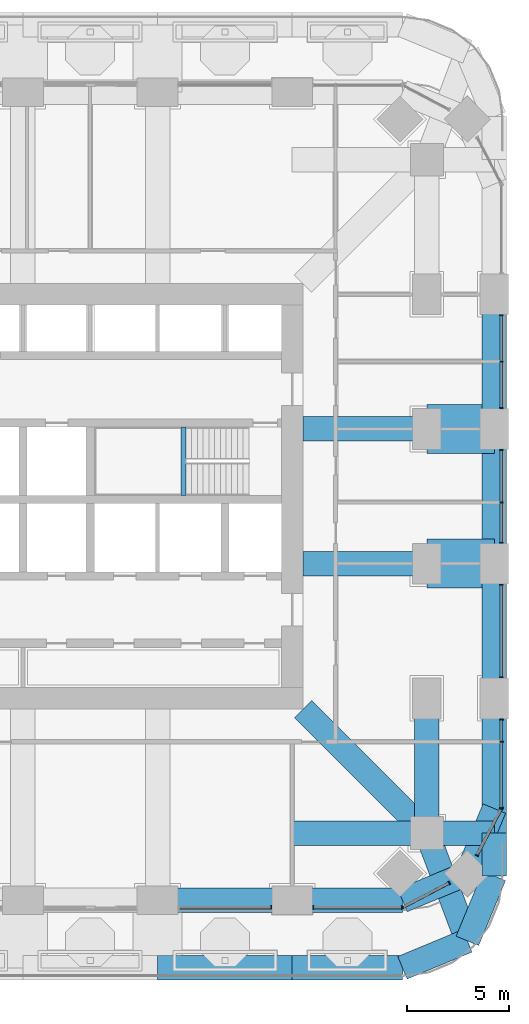
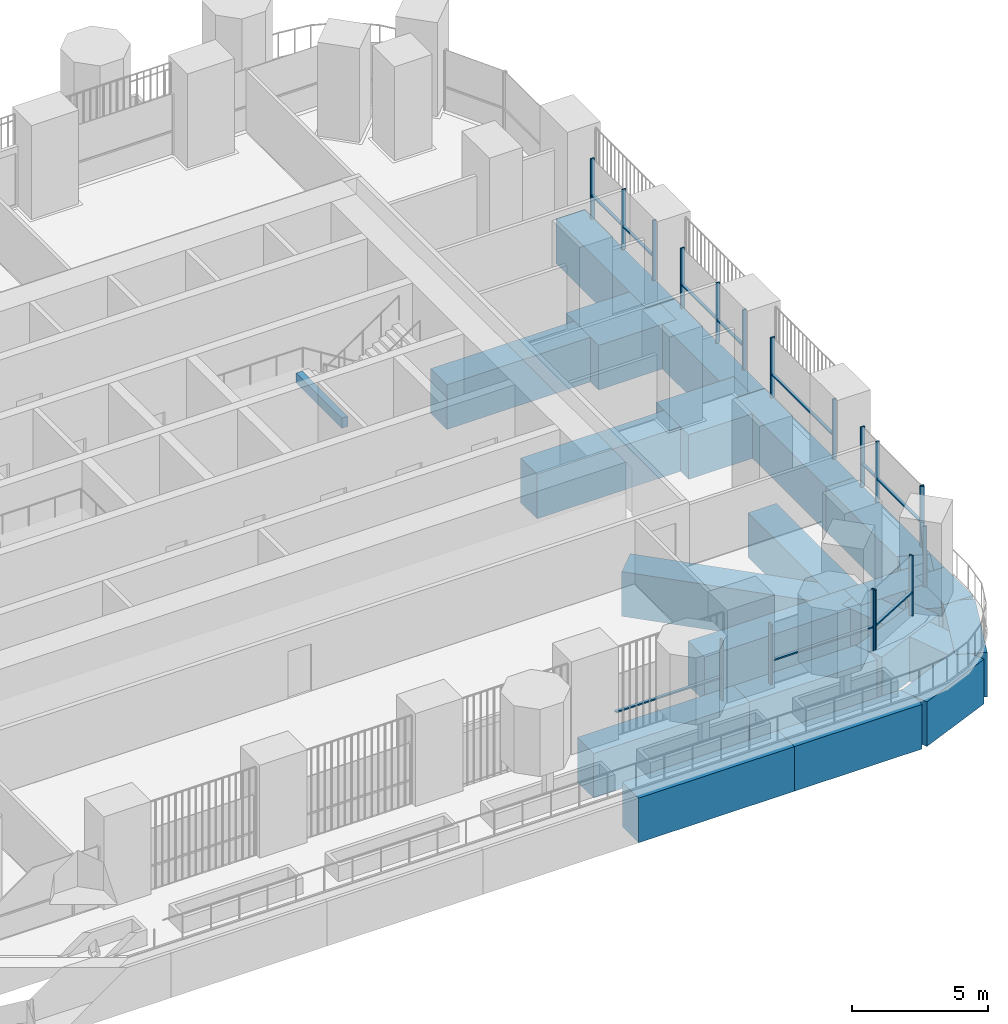
# One storey, part 5 of 22: 29 members, 23 beams, 8 elements without a shape of their own.
"""IFC4 building model written with IfcOpenShell, lengths in metres."""

from ifc_helpers import new_model, si_unit, direction, frame, origin, origin_2d, place, context, subcontext, project, spatial, rectangle, extrude, material, material_profile, profile_set, type_object, element, aggregate, save


model = new_model("IFC4")

# Units and contexts
model_context = context("Model", 3, precision=1e-05, world=origin(), true_north=direction((0.0, 1.0)))
body_context = subcontext(model_context, "Body", "Model", "MODEL_VIEW")
ifc_project = project(units=[si_unit("LENGTHUNIT", "METRE"), si_unit("AREAUNIT", "SQUARE_METRE"), si_unit("VOLUMEUNIT", "CUBIC_METRE"), si_unit("PLANEANGLEUNIT", "RADIAN"), si_unit("MASSUNIT", "GRAM", prefix="KILO")], contexts=[model_context])

# Site, building, storey
site_placement = place(None, origin())
site = spatial("IfcSite", under=ifc_project, at=site_placement, CompositionType="ELEMENT")
building_placement = place(site_placement, origin())
building = spatial("IfcBuilding", under=site, at=building_placement, Name="Cobogo Forest Laboratory Tower", CompositionType="ELEMENT")
storey_placement = place(building_placement, frame((0.0, 0.0, 155.699951171875)))
storey = spatial("IfcBuildingStorey", under=building, at=storey_placement, Name="L35", CompositionType="ELEMENT", Elevation=155.699951171875)

# Beam
ifc_material_1 = material(Name="Concrete HA-40 (C40/50)", Category="concrete")
ifc_material_profile_1 = material_profile(ifc_material_1, rectangle(XDim=0.25, YDim=0.449951171875, at=origin_2d()), Name="RC 250x450")
ifc_profile_set_1 = profile_set([ifc_material_profile_1], Name="Concrete HA-40 (C40/50)")
beam_type_1 = type_object("IfcBeamType", Name="LB1 landing beam 250x450", PredefinedType="BEAM", material=ifc_profile_set_1)
beam_1_placement = place(storey_placement, frame((34.27001953125, 23.14990234375, 1.675048828125), z_axis=(0.0, 1.0, 0.0), x_axis=(-1.0, 0.0, 0.0)))
element("IfcBeam", 1, at=beam_1_placement, inside=storey, type_object=beam_type_1, Name="Landing beam ST2 L35", PredefinedType="BEAM", context=body_context, shape_type="SweptSolid", body=[
    extrude(rectangle(XDim=0.25, YDim=0.449951171875, at=origin_2d()), origin(), (0.0, 0.0, 1.0), 3.35009765625),
])

# Curtain wall, member
ifc_material_2 = material(Name="Aluminium curtain wall", Category="aluminium")
curtain_wall_type = type_object("IfcCurtainWallType", Name="CW-2 unitised curtain wall, solar control glazing, laboratory floors zones C and D", PredefinedType="USERDEFINED", material=ifc_material_2)
curtain_wall_1_placement = place(storey_placement, origin())
curtain_wall_1 = element("IfcCurtainWall", 2, at=curtain_wall_1_placement, inside=storey, type_object=curtain_wall_type, Name="Curtain wall 05 L35", ObjectType="UNITISED CURTAIN WALL", PredefinedType="USERDEFINED")
ifc_material_3 = material(Name="Aluminium mullion", Category="aluminium")
ifc_material_profile_2 = material_profile(ifc_material_3, rectangle(XDim=0.06005859375, YDim=0.159912109375, at=origin_2d()), Name="AL 60x160")
ifc_profile_set_2 = profile_set([ifc_material_profile_2], Name="Aluminium mullion")
member_type_1 = type_object("IfcMemberType", Name="MU-1 aluminium mullion 60x160", PredefinedType="MULLION", material=ifc_profile_set_2)
member_1_placement = place(storey_placement, frame((38.570068359375, 2.949951171875, 0.0), z_axis=(0.0, 0.0, 1.0), x_axis=(1.0, 0.0, 0.0)))
member_1 = element("IfcMember", 3, at=member_1_placement, type_object=member_type_1, Name="CW-2 mullion 2", PredefinedType="MULLION", context=body_context, shape_type="SweptSolid", body=[
    extrude(rectangle(XDim=0.06005859375, YDim=0.159912109375, at=origin_2d()), origin(), (0.0, 0.0, 1.0), 2.699951171875),
])

# Curtain wall, members
curtain_wall_2_placement = place(storey_placement, origin())
curtain_wall_2 = element("IfcCurtainWall", 4, at=curtain_wall_2_placement, inside=storey, type_object=curtain_wall_type, Name="Curtain wall 06 L35", ObjectType="UNITISED CURTAIN WALL", PredefinedType="USERDEFINED")
member_2_placement = place(storey_placement, frame((40.6298828125, 2.949951171875, 0.0), z_axis=(0.0, 0.0, 1.0), x_axis=(1.0, 0.0, 0.0)))
member_2 = element("IfcMember", 5, at=member_2_placement, type_object=member_type_1, Name="CW-2 mullion 1", PredefinedType="MULLION", context=body_context, shape_type="SweptSolid", body=[
    extrude(rectangle(XDim=0.06005859375, YDim=0.159912109375, at=origin_2d()), origin(), (0.0, 0.0, 1.0), 2.699951171875),
])
member_3_placement = place(storey_placement, frame((44.969970703125, 2.949951171875, 0.0), z_axis=(0.0, 0.0, 1.0), x_axis=(1.0, 0.0, 0.0)))
member_3 = element("IfcMember", 6, at=member_3_placement, type_object=member_type_1, Name="CW-2 mullion 2", PredefinedType="MULLION", context=body_context, shape_type="SweptSolid", body=[
    extrude(rectangle(XDim=0.06005859375, YDim=0.159912109375, at=origin_2d()), origin(), (0.0, 0.0, 1.0), 2.699951171875),
])

curtain_wall_3_placement = place(storey_placement, origin())
curtain_wall_3 = element("IfcCurtainWall", 7, at=curtain_wall_3_placement, inside=storey, type_object=curtain_wall_type, Name="Curtain wall 07 L35", ObjectType="UNITISED CURTAIN WALL", PredefinedType="USERDEFINED")
member_4_placement = place(storey_placement, frame((45.026611328125, 2.9638671875, 0.0), z_axis=(0.0, 0.0, 1.0), x_axis=(0.885686527085, 0.464283723321, 0.0)))
member_4 = element("IfcMember", 8, at=member_4_placement, type_object=member_type_1, Name="CW-2 mullion 1", PredefinedType="MULLION", context=body_context, shape_type="SweptSolid", body=[
    extrude(rectangle(XDim=0.06005859375, YDim=0.159912109375, at=origin_2d()), origin(), (0.0, 0.0, 1.0), 2.699951171875),
])
member_5_placement = place(storey_placement, frame((47.29248046875, 4.15185546875, 0.0), z_axis=(0.0, 0.0, 1.0), x_axis=(0.885686527085, 0.464283723321, 0.0)))
member_5 = element("IfcMember", 9, at=member_5_placement, type_object=member_type_1, Name="CW-2 mullion 2", PredefinedType="MULLION", context=body_context, shape_type="SweptSolid", body=[
    extrude(rectangle(XDim=0.06005859375, YDim=0.159912109375, at=origin_2d()), origin(), (0.0, 0.0, 1.0), 2.699951171875),
])

curtain_wall_4_placement = place(storey_placement, origin())
curtain_wall_4 = element("IfcCurtainWall", 10, at=curtain_wall_4_placement, inside=storey, type_object=curtain_wall_type, Name="Curtain wall 08 L35", ObjectType="UNITISED CURTAIN WALL", PredefinedType="USERDEFINED")
member_6_placement = place(storey_placement, frame((48.648193359375, 5.507568359375, 0.0), z_axis=(0.0, 0.0, 1.0), x_axis=(0.464283723321, 0.885686527085, 0.0)))
member_6 = element("IfcMember", 11, at=member_6_placement, type_object=member_type_1, Name="CW-2 mullion 1", PredefinedType="MULLION", context=body_context, shape_type="SweptSolid", body=[
    extrude(rectangle(XDim=0.06005859375, YDim=0.159912109375, at=origin_2d()), origin(), (0.0, 0.0, 1.0), 2.699951171875),
])
member_7_placement = place(storey_placement, frame((49.836181640625, 7.7734375, 0.0), z_axis=(0.0, 0.0, 1.0), x_axis=(0.464283723321, 0.885686527085, 0.0)))
member_7 = element("IfcMember", 12, at=member_7_placement, type_object=member_type_1, Name="CW-2 mullion 2", PredefinedType="MULLION", context=body_context, shape_type="SweptSolid", body=[
    extrude(rectangle(XDim=0.06005859375, YDim=0.159912109375, at=origin_2d()), origin(), (0.0, 0.0, 1.0), 2.699951171875),
])

curtain_wall_5_placement = place(storey_placement, origin())
curtain_wall_5 = element("IfcCurtainWall", 13, at=curtain_wall_5_placement, inside=storey, type_object=curtain_wall_type, Name="Curtain wall 09 L35", ObjectType="UNITISED CURTAIN WALL", PredefinedType="USERDEFINED")
member_8_placement = place(storey_placement, frame((49.85009765625, 7.830078125, 0.0), z_axis=(0.0, 0.0, 1.0), x_axis=(0.0, 1.0, 0.0)))
member_8 = element("IfcMember", 14, at=member_8_placement, type_object=member_type_1, Name="CW-2 mullion 1", PredefinedType="MULLION", context=body_context, shape_type="SweptSolid", body=[
    extrude(rectangle(XDim=0.06005859375, YDim=0.159912109375, at=origin_2d()), origin(), (0.0, 0.0, 1.0), 2.699951171875),
])
member_9_placement = place(storey_placement, frame((49.85009765625, 11.074951171875, 0.0), z_axis=(0.0, 0.0, 1.0), x_axis=(0.0, 1.0, 0.0)))
member_9 = element("IfcMember", 15, at=member_9_placement, type_object=member_type_1, Name="CW-2 mullion 2", PredefinedType="MULLION", context=body_context, shape_type="SweptSolid", body=[
    extrude(rectangle(XDim=0.06005859375, YDim=0.159912109375, at=origin_2d()), origin(), (0.0, 0.0, 1.0), 2.699951171875),
])
member_10_placement = place(storey_placement, frame((49.85009765625, 12.169921875, 0.0), z_axis=(0.0, 0.0, 1.0), x_axis=(0.0, 1.0, 0.0)))
member_10 = element("IfcMember", 16, at=member_10_placement, type_object=member_type_1, Name="CW-2 mullion 3", PredefinedType="MULLION", context=body_context, shape_type="SweptSolid", body=[
    extrude(rectangle(XDim=0.06005859375, YDim=0.159912109375, at=origin_2d()), origin(), (0.0, 0.0, 1.0), 2.699951171875),
])

curtain_wall_6_placement = place(storey_placement, origin())
curtain_wall_6 = element("IfcCurtainWall", 17, at=curtain_wall_6_placement, inside=storey, type_object=curtain_wall_type, Name="Curtain wall 10 L35", ObjectType="UNITISED CURTAIN WALL", PredefinedType="USERDEFINED")
member_11_placement = place(storey_placement, frame((49.85009765625, 14.22998046875, 0.0), z_axis=(0.0, 0.0, 1.0), x_axis=(0.0, 1.0, 0.0)))
member_11 = element("IfcMember", 18, at=member_11_placement, type_object=member_type_1, Name="CW-2 mullion 1", PredefinedType="MULLION", context=body_context, shape_type="SweptSolid", body=[
    extrude(rectangle(XDim=0.06005859375, YDim=0.159912109375, at=origin_2d()), origin(), (0.0, 0.0, 1.0), 2.699951171875),
])
member_12_placement = place(storey_placement, frame((49.85009765625, 18.77001953125, 0.0), z_axis=(0.0, 0.0, 1.0), x_axis=(0.0, 1.0, 0.0)))
member_12 = element("IfcMember", 19, at=member_12_placement, type_object=member_type_1, Name="CW-2 mullion 2", PredefinedType="MULLION", context=body_context, shape_type="SweptSolid", body=[
    extrude(rectangle(XDim=0.06005859375, YDim=0.159912109375, at=origin_2d()), origin(), (0.0, 0.0, 1.0), 2.699951171875),
])

curtain_wall_7_placement = place(storey_placement, origin())
curtain_wall_7 = element("IfcCurtainWall", 20, at=curtain_wall_7_placement, inside=storey, type_object=curtain_wall_type, Name="Curtain wall 11 L35", ObjectType="UNITISED CURTAIN WALL", PredefinedType="USERDEFINED")
member_13_placement = place(storey_placement, frame((49.85009765625, 20.830078125, 0.0), z_axis=(0.0, 0.0, 1.0), x_axis=(0.0, 1.0, 0.0)))
member_13 = element("IfcMember", 21, at=member_13_placement, type_object=member_type_1, Name="CW-2 mullion 1", PredefinedType="MULLION", context=body_context, shape_type="SweptSolid", body=[
    extrude(rectangle(XDim=0.06005859375, YDim=0.159912109375, at=origin_2d()), origin(), (0.0, 0.0, 1.0), 2.699951171875),
])
member_14_placement = place(storey_placement, frame((49.85009765625, 22.800048828125, 0.0), z_axis=(0.0, 0.0, 1.0), x_axis=(0.0, 1.0, 0.0)))
member_14 = element("IfcMember", 22, at=member_14_placement, type_object=member_type_1, Name="CW-2 mullion 2", PredefinedType="MULLION", context=body_context, shape_type="SweptSolid", body=[
    extrude(rectangle(XDim=0.06005859375, YDim=0.159912109375, at=origin_2d()), origin(), (0.0, 0.0, 1.0), 2.699951171875),
])
member_15_placement = place(storey_placement, frame((49.85009765625, 25.3701171875, 0.0), z_axis=(0.0, 0.0, 1.0), x_axis=(0.0, 1.0, 0.0)))
member_15 = element("IfcMember", 23, at=member_15_placement, type_object=member_type_1, Name="CW-2 mullion 3", PredefinedType="MULLION", context=body_context, shape_type="SweptSolid", body=[
    extrude(rectangle(XDim=0.06005859375, YDim=0.159912109375, at=origin_2d()), origin(), (0.0, 0.0, 1.0), 2.699951171875),
])

curtain_wall_8_placement = place(storey_placement, origin())
curtain_wall_8 = element("IfcCurtainWall", 24, at=curtain_wall_8_placement, inside=storey, type_object=curtain_wall_type, Name="Curtain wall 12 L35", ObjectType="UNITISED CURTAIN WALL", PredefinedType="USERDEFINED")
member_16_placement = place(storey_placement, frame((49.85009765625, 27.429931640625, 0.0), z_axis=(0.0, 0.0, 1.0), x_axis=(0.0, 1.0, 0.0)))
member_16 = element("IfcMember", 25, at=member_16_placement, type_object=member_type_1, Name="CW-2 mullion 1", PredefinedType="MULLION", context=body_context, shape_type="SweptSolid", body=[
    extrude(rectangle(XDim=0.06005859375, YDim=0.159912109375, at=origin_2d()), origin(), (0.0, 0.0, 1.0), 2.699951171875),
])
member_17_placement = place(storey_placement, frame((49.85009765625, 29.699951171875, 0.0), z_axis=(0.0, 0.0, 1.0), x_axis=(0.0, 1.0, 0.0)))
member_17 = element("IfcMember", 26, at=member_17_placement, type_object=member_type_1, Name="CW-2 mullion 2", PredefinedType="MULLION", context=body_context, shape_type="SweptSolid", body=[
    extrude(rectangle(XDim=0.06005859375, YDim=0.159912109375, at=origin_2d()), origin(), (0.0, 0.0, 1.0), 2.699951171875),
])
member_18_placement = place(storey_placement, frame((49.85009765625, 31.969970703125, 0.0), z_axis=(0.0, 0.0, 1.0), x_axis=(0.0, 1.0, 0.0)))
member_18 = element("IfcMember", 27, at=member_18_placement, type_object=member_type_1, Name="CW-2 mullion 3", PredefinedType="MULLION", context=body_context, shape_type="SweptSolid", body=[
    extrude(rectangle(XDim=0.06005859375, YDim=0.159912109375, at=origin_2d()), origin(), (0.0, 0.0, 1.0), 2.699951171875),
])

# Beams
ifc_material_4 = material(Name="Concrete HA-50 (C50/60)", Category="concrete")
ifc_material_profile_3 = material_profile(ifc_material_4, rectangle(XDim=2.39990234375, YDim=2.0, at=origin_2d()), Name="RC 2400x2000")
ifc_profile_set_3 = profile_set([ifc_material_profile_3], Name="Concrete HA-50 (C50/60)")
beam_type_2 = type_object("IfcBeamType", Name="Setback floor end-bay girder 2400x2000", PredefinedType="BEAM", material=ifc_profile_set_3)
for number, where, z_axis, x_axis, name in (
    (28, (49.5, 19.800048828125, -1.300048828125), (-1.0, 0.0, 0.0), (0.0, -1.0, 0.0), "TG3 R-D-E-X L35"),
    (29, (49.5, 26.39990234375, -1.300048828125), (-1.0, 0.0, 0.0), (0.0, -1.0, 0.0), "TG3 R-E-E-X L35"),
):
    element("IfcBeam", number, at=place(storey_placement, frame(where, z_axis=z_axis, x_axis=x_axis)), inside=storey, type_object=beam_type_2, Name=name, PredefinedType="BEAM", context=body_context, shape_type="SweptSolid", body=[
        extrude(rectangle(XDim=2.39990234375, YDim=2.0, at=origin_2d()), origin(), (0.0, 0.0, 1.0), 3.300048828125),
    ])
ifc_material_profile_4 = material_profile(ifc_material_1, rectangle(XDim=1.199951171875, YDim=2.0, at=origin_2d()), Name="RC 1200x2000")
ifc_profile_set_4 = profile_set([ifc_material_profile_4], Name="Concrete HA-40 (C40/50)")
beam_type_3 = type_object("IfcBeamType", Name="Setback floor girder 1200x2000", PredefinedType="BEAM", material=ifc_profile_set_4)
for number, where, z_axis, x_axis, name in (
    (30, (40.125, 19.800048828125, -1.300048828125), (1.0, 0.0, 0.0), (0.0, 1.0, 0.0), "TG2 R-D-E L35"),
    (31, (40.125, 26.39990234375, -1.300048828125), (1.0, 0.0, 0.0), (0.0, 1.0, 0.0), "TG2 R-E-E L35"),
):
    element("IfcBeam", number, at=place(storey_placement, frame(where, z_axis=z_axis, x_axis=x_axis)), inside=storey, type_object=beam_type_3, Name=name, PredefinedType="BEAM", context=body_context, shape_type="SweptSolid", body=[
        extrude(rectangle(XDim=1.199951171875, YDim=2.0, at=origin_2d()), origin(), (0.0, 0.0, 1.0), 6.074951171875),
    ])
beam_2_placement = place(storey_placement, frame((46.199951171875, 6.60009765625, -1.300048828125), z_axis=(0.0, 1.0, 0.0), x_axis=(-1.0, 0.0, 0.0)))
element("IfcBeam", 32, at=beam_2_placement, inside=storey, type_object=beam_type_3, Name="TG2 G-SE-XC L35", PredefinedType="BEAM", context=body_context, shape_type="SweptSolid", body=[
    extrude(rectangle(XDim=1.199951171875, YDim=2.0, at=origin_2d()), origin(), (0.0, 0.0, 1.0), 6.599853515625),
])
beam_3_placement = place(storey_placement, frame((49.5, 6.60009765625, -1.300048828125), z_axis=(-1.0, 0.0, 0.0), x_axis=(0.0, -1.0, 0.0)))
element("IfcBeam", 33, at=beam_3_placement, inside=storey, type_object=beam_type_3, Name="TG2 G-SE-YF L35", PredefinedType="BEAM", context=body_context, shape_type="SweptSolid", body=[
    extrude(rectangle(XDim=1.199951171875, YDim=2.0, at=origin_2d()), origin(), (0.0, 0.0, 1.0), 3.300048828125),
])
beam_4_placement = place(storey_placement, frame((46.199951171875, 6.60009765625, -1.300048828125), z_axis=(-1.0, 0.0, 0.0), x_axis=(0.0, -1.0, 0.0)))
element("IfcBeam", 34, at=beam_4_placement, inside=storey, type_object=beam_type_3, Name="TG2 G-SE-YC L35", PredefinedType="BEAM", context=body_context, shape_type="SweptSolid", body=[
    extrude(rectangle(XDim=1.199951171875, YDim=2.0, at=origin_2d()), origin(), (0.0, 0.0, 1.0), 6.599853515625),
])
beam_5_placement = place(storey_placement, frame((48.181884765625, 1.318115234375, -1.300048828125), z_axis=(-0.351308391925, 0.936259800356, 0.0), x_axis=(-0.936259800356, -0.351308391925, 0.0)))
element("IfcBeam", 35, at=beam_5_placement, inside=storey, type_object=beam_type_3, Name="TG2 G-SE-D1 L35", PredefinedType="BEAM", context=body_context, shape_type="SweptSolid", body=[
    extrude(rectangle(XDim=1.199951171875, YDim=2.0, at=origin_2d()), origin(), (0.0, 0.0, 1.0), 5.6416015625),
])
beam_6_placement = place(storey_placement, frame((46.199951171875, 6.60009765625, -1.300048828125), z_axis=(-0.707106781187, 0.707106781187, 0.0), x_axis=(-0.707106781187, -0.707106781187, 0.0)))
element("IfcBeam", 36, at=beam_6_placement, inside=storey, type_object=beam_type_3, Name="TG2 G-SE-D2 L35", PredefinedType="BEAM", context=body_context, shape_type="SweptSolid", body=[
    extrude(rectangle(XDim=1.199951171875, YDim=2.0, at=origin_2d()), origin(), (0.0, 0.0, 1.0), 8.59130859375),
])
beam_7_placement = place(storey_placement, frame((33.0, 0.0, -1.300048828125), z_axis=(1.0, 0.0, 0.0), x_axis=(0.0, 1.0, 0.0)))
element("IfcBeam", 37, at=beam_7_placement, inside=storey, type_object=beam_type_3, Name="TG2 E-S4 L35", PredefinedType="BEAM", context=body_context, shape_type="SweptSolid", body=[
    extrude(rectangle(XDim=1.199951171875, YDim=2.0, at=origin_2d()), origin(), (0.0, 0.0, 1.0), 6.60009765625),
])
beam_8_placement = place(storey_placement, frame((49.5, 6.60009765625, -1.300048828125), z_axis=(0.0, 1.0, 0.0), x_axis=(-1.0, 0.0, 0.0)))
element("IfcBeam", 38, at=beam_8_placement, inside=storey, type_object=beam_type_3, Name="TG2 E-E1 L35", PredefinedType="BEAM", context=body_context, shape_type="SweptSolid", body=[
    extrude(rectangle(XDim=1.199951171875, YDim=2.0, at=origin_2d()), origin(), (0.0, 0.0, 1.0), 6.599853515625),
])
beam_9_placement = place(storey_placement, frame((49.5, 13.199951171875, -1.300048828125), z_axis=(0.0, 1.0, 0.0), x_axis=(-1.0, 0.0, 0.0)))
element("IfcBeam", 39, at=beam_9_placement, inside=storey, type_object=beam_type_3, Name="TG2 E-E2 L35", PredefinedType="BEAM", context=body_context, shape_type="SweptSolid", body=[
    extrude(rectangle(XDim=1.199951171875, YDim=2.0, at=origin_2d()), origin(), (0.0, 0.0, 1.0), 6.60009765625),
])
beam_10_placement = place(storey_placement, frame((49.5, 19.800048828125, -1.300048828125), z_axis=(0.0, 1.0, 0.0), x_axis=(-1.0, 0.0, 0.0)))
element("IfcBeam", 40, at=beam_10_placement, inside=storey, type_object=beam_type_3, Name="TG2 E-E3 L35", PredefinedType="BEAM", context=body_context, shape_type="SweptSolid", body=[
    extrude(rectangle(XDim=1.199951171875, YDim=2.0, at=origin_2d()), origin(), (0.0, 0.0, 1.0), 6.599853515625),
])
beam_11_placement = place(storey_placement, frame((49.5, 26.39990234375, -1.300048828125), z_axis=(0.0, 1.0, 0.0), x_axis=(-1.0, 0.0, 0.0)))
element("IfcBeam", 41, at=beam_11_placement, inside=storey, type_object=beam_type_3, Name="TG2 E-E4 L35", PredefinedType="BEAM", context=body_context, shape_type="SweptSolid", body=[
    extrude(rectangle(XDim=1.199951171875, YDim=2.0, at=origin_2d()), origin(), (0.0, 0.0, 1.0), 6.60009765625),
])
beam_12_placement = place(storey_placement, frame((39.60009765625, 0.0, -1.300048828125), z_axis=(1.0, 0.0, 0.0), x_axis=(0.0, 1.0, 0.0)))
element("IfcBeam", 42, at=beam_12_placement, inside=storey, type_object=beam_type_3, Name="TG2 E-SES1 L35", PredefinedType="BEAM", context=body_context, shape_type="SweptSolid", body=[
    extrude(rectangle(XDim=1.199951171875, YDim=2.0, at=origin_2d()), origin(), (0.0, 0.0, 1.0), 5.39990234375),
])
beam_13_placement = place(storey_placement, frame((45.0, 0.0, -1.300048828125), z_axis=(0.923865631356, 0.382716990999, 0.0), x_axis=(-0.382716990999, 0.923865631356, 0.0)))
element("IfcBeam", 43, at=beam_13_placement, inside=storey, type_object=beam_type_3, Name="TG2 E-SES2 L35", PredefinedType="BEAM", context=body_context, shape_type="SweptSolid", body=[
    extrude(rectangle(XDim=1.199951171875, YDim=2.0, at=origin_2d()), origin(), (0.0, 0.0, 1.0), 3.444091796875),
])
beam_14_placement = place(storey_placement, frame((49.5, 6.60009765625, -1.300048828125), z_axis=(0.0, -1.0, 0.0), x_axis=(1.0, 0.0, 0.0)))
element("IfcBeam", 44, at=beam_14_placement, inside=storey, type_object=beam_type_3, Name="TG2 E-SEE1 L35", PredefinedType="BEAM", context=body_context, shape_type="SweptSolid", body=[
    extrude(rectangle(XDim=1.199951171875, YDim=2.0, at=origin_2d()), origin(), (0.0, 0.0, 1.0), 2.10009765625),
])
beam_15_placement = place(storey_placement, frame((49.5, 4.5, -1.300048828125), z_axis=(-0.382716990999, -0.923865631356, 0.0), x_axis=(0.923865631356, -0.382716990999, 0.0)))
element("IfcBeam", 45, at=beam_15_placement, inside=storey, type_object=beam_type_3, Name="TG2 E-SEE2 L35", PredefinedType="BEAM", context=body_context, shape_type="SweptSolid", body=[
    extrude(rectangle(XDim=1.199951171875, YDim=2.0, at=origin_2d()), origin(), (0.0, 0.0, 1.0), 3.444091796875),
])
beam_16_placement = place(storey_placement, frame((33.0, 3.300048828125, -1.300048828125), z_axis=(1.0, 0.0, 0.0), x_axis=(0.0, 1.0, 0.0)))
element("IfcBeam", 46, at=beam_16_placement, inside=storey, type_object=beam_type_3, Name="TG2 UE-S4 L35", PredefinedType="BEAM", context=body_context, shape_type="SweptSolid", body=[
    extrude(rectangle(XDim=1.199951171875, YDim=2.0, at=origin_2d()), origin(), (0.0, 0.0, 1.0), 6.60009765625),
])
beam_17_placement = place(storey_placement, frame((39.60009765625, 3.300048828125, -1.300048828125), z_axis=(1.0, 0.0, 0.0), x_axis=(0.0, 1.0, 0.0)))
element("IfcBeam", 47, at=beam_17_placement, inside=storey, type_object=beam_type_3, Name="TG2 UE-SES1 L35", PredefinedType="BEAM", context=body_context, shape_type="SweptSolid", body=[
    extrude(rectangle(XDim=1.199951171875, YDim=2.0, at=origin_2d()), origin(), (0.0, 0.0, 1.0), 5.39990234375),
])
beam_18_placement = place(storey_placement, frame((45.0, 3.300048828125, -1.300048828125), z_axis=(0.923890694089, 0.382656484822, 0.0), x_axis=(-0.382656484822, 0.923890694089, 0.0)))
element("IfcBeam", 48, at=beam_18_placement, inside=storey, type_object=beam_type_3, Name="TG2 UE-SES2 L35", PredefinedType="BEAM", context=body_context, shape_type="SweptSolid", body=[
    extrude(rectangle(XDim=1.199951171875, YDim=2.0, at=origin_2d()), origin(), (0.0, 0.0, 1.0), 3.444091796875),
])
beam_19_placement = place(storey_placement, frame((49.5, 7.800048828125, -1.300048828125), z_axis=(-0.382691928466, -0.923876013265, 0.0), x_axis=(0.923876013265, -0.382691928466, 0.0)))
element("IfcBeam", 49, at=beam_19_placement, inside=storey, type_object=beam_type_3, Name="TG2 UE-SEE2 L35", PredefinedType="BEAM", context=body_context, shape_type="SweptSolid", body=[
    extrude(rectangle(XDim=1.199951171875, YDim=2.0, at=origin_2d()), origin(), (0.0, 0.0, 1.0), 3.4443359375),
])

# Member
ifc_material_5 = material(Name="Aluminium transom", Category="aluminium")
ifc_material_profile_5 = material_profile(ifc_material_5, rectangle(XDim=0.1201171875, YDim=0.06005859375, at=origin_2d()), Name="AL 60x120")
ifc_profile_set_5 = profile_set([ifc_material_profile_5], Name="Aluminium transom")
member_type_2 = type_object("IfcMemberType", Name="TR-1 aluminium transom 60x120", PredefinedType="USERDEFINED", material=ifc_profile_set_5)
member_19_placement = place(storey_placement, frame((34.06005859375, 2.949951171875, 1.050048828125), z_axis=(1.0, 0.0, 0.0), x_axis=(0.0, 1.0, 0.0)))
member_19 = element("IfcMember", 50, at=member_19_placement, type_object=member_type_2, Name="CW-2 transom 1.1", ObjectType="TRANSOM", PredefinedType="USERDEFINED", context=body_context, shape_type="SweptSolid", body=[
    extrude(rectangle(XDim=0.1201171875, YDim=0.06005859375, at=origin_2d()), origin(), (0.0, 0.0, 1.0), 4.47998046875),
])

aggregate(curtain_wall_1, [member_1, member_19])

member_20_placement = place(storey_placement, frame((40.659912109375, 2.949951171875, 1.050048828125), z_axis=(1.0, 0.0, 0.0), x_axis=(0.0, 1.0, 0.0)))
member_20 = element("IfcMember", 51, at=member_20_placement, type_object=member_type_2, Name="CW-2 transom 1.1", ObjectType="TRANSOM", PredefinedType="USERDEFINED", context=body_context, shape_type="SweptSolid", body=[
    extrude(rectangle(XDim=0.1201171875, YDim=0.06005859375, at=origin_2d()), origin(), (0.0, 0.0, 1.0), 4.280029296875),
])

aggregate(curtain_wall_2, [member_2, member_3, member_20])

member_21_placement = place(storey_placement, frame((45.05322265625, 2.977783203125, 1.050048828125), z_axis=(0.885642106056, 0.464368452828, 0.0), x_axis=(-0.464368452828, 0.885642106056, 0.0)))
member_21 = element("IfcMember", 52, at=member_21_placement, type_object=member_type_2, Name="CW-2 transom 1.1", ObjectType="TRANSOM", PredefinedType="USERDEFINED", context=body_context, shape_type="SweptSolid", body=[
    extrude(rectangle(XDim=0.1201171875, YDim=0.06005859375, at=origin_2d()), origin(), (0.0, 0.0, 1.0), 2.498291015625),
])

aggregate(curtain_wall_3, [member_4, member_5, member_21])

member_22_placement = place(storey_placement, frame((48.662109375, 5.533935546875, 1.050048828125), z_axis=(0.464251616248, 0.885703357119, 0.0), x_axis=(-0.885703357119, 0.464251616248, 0.0)))
member_22 = element("IfcMember", 53, at=member_22_placement, type_object=member_type_2, Name="CW-2 transom 1.1", ObjectType="TRANSOM", PredefinedType="USERDEFINED", context=body_context, shape_type="SweptSolid", body=[
    extrude(rectangle(XDim=0.1201171875, YDim=0.06005859375, at=origin_2d()), origin(), (0.0, 0.0, 1.0), 2.49853515625),
])

aggregate(curtain_wall_4, [member_6, member_7, member_22])

member_23_placement = place(storey_placement, frame((49.85009765625, 7.860107421875, 1.050048828125), z_axis=(0.0, 1.0, 0.0), x_axis=(-1.0, 0.0, 0.0)))
member_23 = element("IfcMember", 54, at=member_23_placement, type_object=member_type_2, Name="CW-2 transom 1.1", ObjectType="TRANSOM", PredefinedType="USERDEFINED", context=body_context, shape_type="SweptSolid", body=[
    extrude(rectangle(XDim=0.1201171875, YDim=0.06005859375, at=origin_2d()), origin(), (0.0, 0.0, 1.0), 3.184814453125),
])

member_24_placement = place(storey_placement, frame((49.85009765625, 11.10498046875, 1.050048828125), z_axis=(0.0, 1.0, 0.0), x_axis=(-1.0, 0.0, 0.0)))
member_24 = element("IfcMember", 55, at=member_24_placement, type_object=member_type_2, Name="CW-2 transom 2.1", ObjectType="TRANSOM", PredefinedType="USERDEFINED", context=body_context, shape_type="SweptSolid", body=[
    extrude(rectangle(XDim=0.1201171875, YDim=0.06005859375, at=origin_2d()), origin(), (0.0, 0.0, 1.0), 1.034912109375),
])

aggregate(curtain_wall_5, [member_8, member_9, member_10, member_23, member_24])

member_25_placement = place(storey_placement, frame((49.85009765625, 14.260009765625, 1.050048828125), z_axis=(0.0, 1.0, 0.0), x_axis=(-1.0, 0.0, 0.0)))
member_25 = element("IfcMember", 56, at=member_25_placement, type_object=member_type_2, Name="CW-2 transom 1.1", ObjectType="TRANSOM", PredefinedType="USERDEFINED", context=body_context, shape_type="SweptSolid", body=[
    extrude(rectangle(XDim=0.1201171875, YDim=0.06005859375, at=origin_2d()), origin(), (0.0, 0.0, 1.0), 4.47998046875),
])

aggregate(curtain_wall_6, [member_11, member_12, member_25])

member_26_placement = place(storey_placement, frame((49.85009765625, 20.860107421875, 1.050048828125), z_axis=(0.0, 1.0, 0.0), x_axis=(-1.0, 0.0, 0.0)))
member_26 = element("IfcMember", 57, at=member_26_placement, type_object=member_type_2, Name="CW-2 transom 1.1", ObjectType="TRANSOM", PredefinedType="USERDEFINED", context=body_context, shape_type="SweptSolid", body=[
    extrude(rectangle(XDim=0.1201171875, YDim=0.06005859375, at=origin_2d()), origin(), (0.0, 0.0, 1.0), 1.909912109375),
])

member_27_placement = place(storey_placement, frame((49.85009765625, 22.830078125, 1.050048828125), z_axis=(0.0, 1.0, 0.0), x_axis=(-1.0, 0.0, 0.0)))
member_27 = element("IfcMember", 58, at=member_27_placement, type_object=member_type_2, Name="CW-2 transom 2.1", ObjectType="TRANSOM", PredefinedType="USERDEFINED", context=body_context, shape_type="SweptSolid", body=[
    extrude(rectangle(XDim=0.1201171875, YDim=0.06005859375, at=origin_2d()), origin(), (0.0, 0.0, 1.0), 2.510009765625),
])

aggregate(curtain_wall_7, [member_13, member_14, member_15, member_26, member_27])

member_28_placement = place(storey_placement, frame((49.85009765625, 27.4599609375, 1.050048828125), z_axis=(0.0, 1.0, 0.0), x_axis=(-1.0, 0.0, 0.0)))
member_28 = element("IfcMember", 59, at=member_28_placement, type_object=member_type_2, Name="CW-2 transom 1.1", ObjectType="TRANSOM", PredefinedType="USERDEFINED", context=body_context, shape_type="SweptSolid", body=[
    extrude(rectangle(XDim=0.1201171875, YDim=0.06005859375, at=origin_2d()), origin(), (0.0, 0.0, 1.0), 2.2099609375),
])

member_29_placement = place(storey_placement, frame((49.85009765625, 29.72998046875, 1.050048828125), z_axis=(0.0, 1.0, 0.0), x_axis=(-1.0, 0.0, 0.0)))
member_29 = element("IfcMember", 60, at=member_29_placement, type_object=member_type_2, Name="CW-2 transom 2.1", ObjectType="TRANSOM", PredefinedType="USERDEFINED", context=body_context, shape_type="SweptSolid", body=[
    extrude(rectangle(XDim=0.1201171875, YDim=0.06005859375, at=origin_2d()), origin(), (0.0, 0.0, 1.0), 2.2099609375),
])

aggregate(curtain_wall_8, [member_16, member_17, member_18, member_28, member_29])

save(model, "model.ifc")
